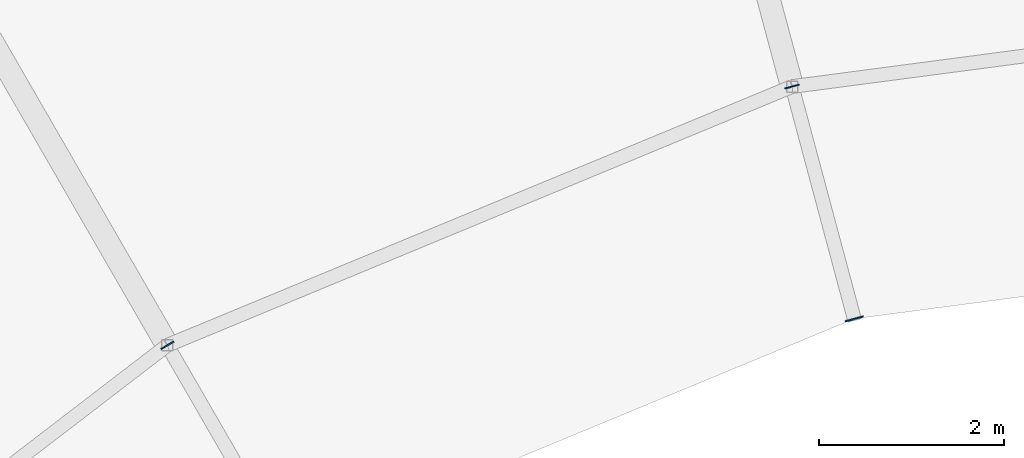
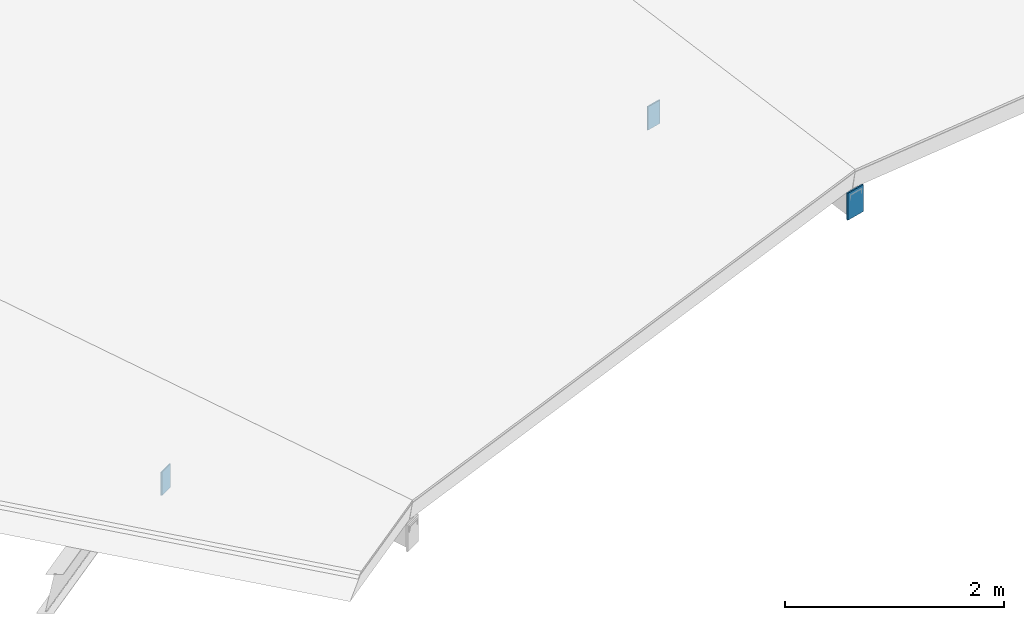
# One storey, part 47 of 70: 3 plates.
"""IFC4 building model written with IfcOpenShell, lengths in metres."""

from ifc_helpers import new_model, si_unit, direction, frame, origin, origin_2d, place, context, subcontext, project, spatial, rectangle, extrude, material, layer, layer_set, type_object, element, save


model = new_model("IFC4")

# Units and contexts
model_context = context("Model", 3, precision=1e-05, world=origin(), true_north=direction((0.0, 1.0)))
body_context = subcontext(model_context, "Body", "Model", "MODEL_VIEW")
ifc_project = project(units=[si_unit("LENGTHUNIT", "METRE"), si_unit("AREAUNIT", "SQUARE_METRE"), si_unit("VOLUMEUNIT", "CUBIC_METRE"), si_unit("PLANEANGLEUNIT", "RADIAN"), si_unit("MASSUNIT", "GRAM", prefix="KILO")], contexts=[model_context])

# Site, building, storey
site_placement = place(None, origin())
site = spatial("IfcSite", under=ifc_project, at=site_placement, CompositionType="ELEMENT")
building_placement = place(site_placement, origin())
building = spatial("IfcBuilding", under=site, at=building_placement, Name="Vondelvale Polytechnic", CompositionType="ELEMENT")
storey_placement = place(building_placement, frame((0.0, 0.0, 22.199951171875)))
storey = spatial("IfcBuildingStorey", under=building, at=storey_placement, Name="L05", CompositionType="ELEMENT", Elevation=22.199951171875)

# Plates
ifc_material = material(Name="Steel Grade 350 (fy = 340 MPa)", Category="steel")
ifc_layer_1 = layer(ifc_material, 0.01611328125)
ifc_layer_set_1 = layer_set([ifc_layer_1], Name="PLATE-CAP-300x200")
plate_type_1 = type_object("IfcPlateType", Name="PLATE-CAP-300x200", PredefinedType="USERDEFINED", material=ifc_layer_set_1)
plate_placement = place(storey_placement, frame((95.426025390625, 96.534423828125, -0.18408203125), z_axis=(0.0, 0.0, 1.0), x_axis=(0.258819045103, -0.965925826289, 0.0)))
element("IfcPlate", 1, at=plate_placement, inside=storey, type_object=plate_type_1, Name="Ring rafter hollow end cap plate 07I", ObjectType="CAP_PLATE", PredefinedType="USERDEFINED", context=body_context, shape_type="SweptSolid", body=[
    extrude(rectangle(XDim=0.01611328125, YDim=0.199951171875, at=origin_2d()), origin(), (0.0, 0.0, 1.0), 0.300048828125),
])
ifc_layer_2 = layer(ifc_material, 0.013916015625)
ifc_layer_set_2 = layer_set([ifc_layer_2], Name="PLATE-CAP-C03")
plate_type_2 = type_object("IfcPlateType", Name="PLATE-CAP-C03", PredefinedType="USERDEFINED", material=ifc_layer_set_2)
for number, where, z_axis, x_axis, name in (
    (2, (94.753173828125, 99.0458984375, -0.47998046875), (0.0, 0.0, 1.0), (0.258819045103, -0.965925826289, 0.0), "Ring workshop truss chord end cap 07I"),
    (3, (88.0, 96.248779296875, -0.47998046875), (0.0, 0.0, 1.0), (0.5, -0.866025403784, 0.0), "Ring workshop truss chord end cap 08I"),
):
    element("IfcPlate", number, at=place(storey_placement, frame(where, z_axis=z_axis, x_axis=x_axis)), inside=storey, type_object=plate_type_2, Name=name, ObjectType="CAP_PLATE", PredefinedType="USERDEFINED", context=body_context, shape_type="SweptSolid", body=[
        extrude(rectangle(XDim=0.013916015625, YDim=0.159912109375, at=origin_2d()), origin(), (0.0, 0.0, 1.0), 0.260009765625),
    ])

save(model, "model.ifc")
